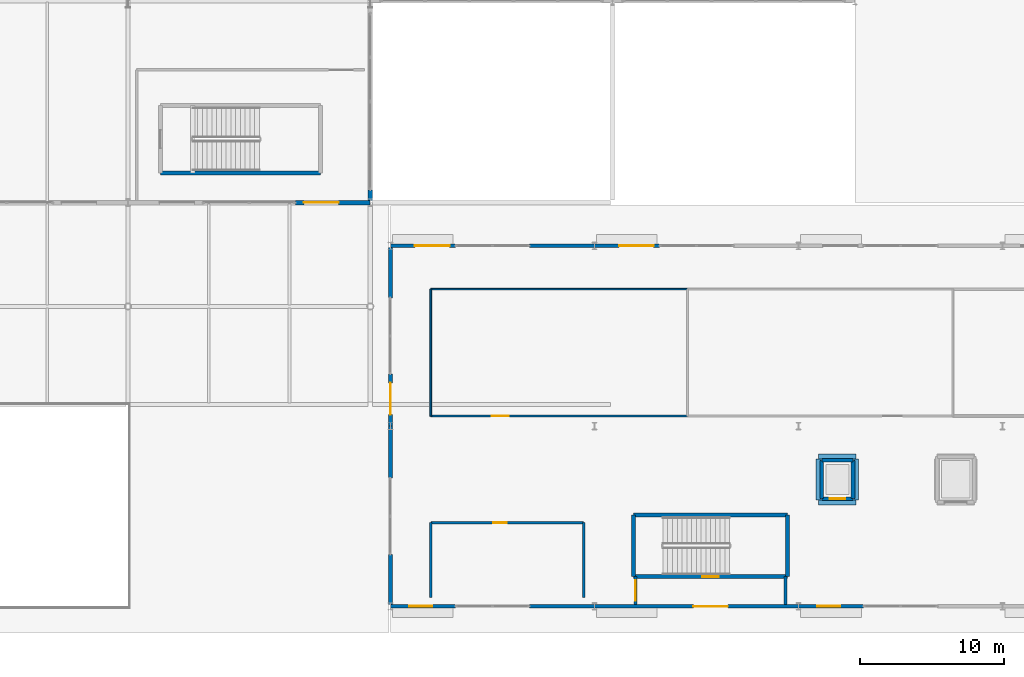
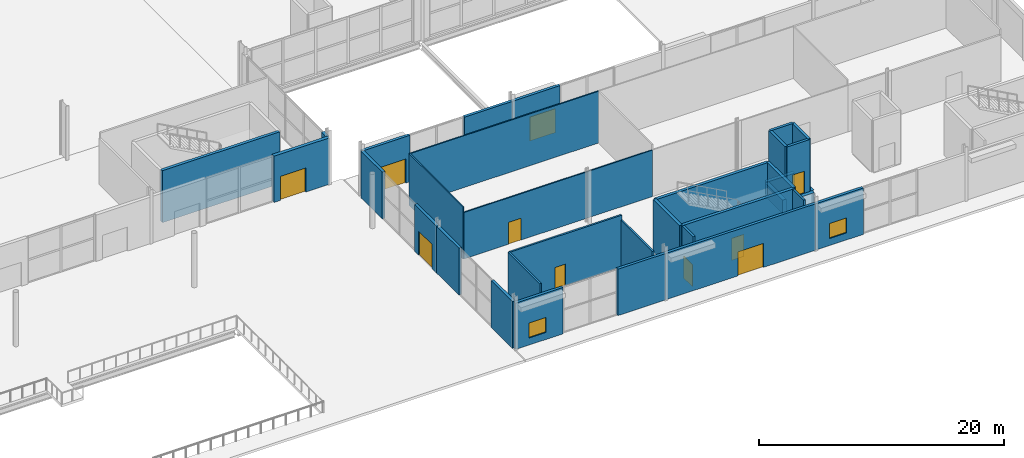
# One storey, part 67 of 87: 34 walls, 10 doors, 2 windows, 12 openings.
"""IFC4 building model written with IfcOpenShell, lengths in metres."""

import ifcopenshell
import ifcopenshell.guid

model = None  # the IFC model being written
_history = None  # IfcOwnerHistory: only IFC2X3 demands one
_inside = {}  # id of a spatial element -> (the spatial element, [elements in it])
_under = {}  # id of a project, library or spatial element -> (it, [spatial elements below it])
_declared = {}  # id of a project -> (the project, [libraries it declares])
_typed = {}  # id of a type object -> (the type object, [elements of that type])
_made_of = {}  # id of a material, layer set ... -> (it, [elements and type objects made of it])


def new_model(schema):
    """Start an empty IFC model of exactly this schema.

    Asked for "IFC4X3", IfcOpenShell would pick the latest addendum, in which some entities
    have other attributes; the version numbers below select the first issue.
    IFC2X3 requires an IfcOwnerHistory on every rooted entity: one is made here for all.
    """
    global model, _history
    if schema == "IFC4X3":
        model = ifcopenshell.file(schema_version=(4, 3, 0, 0))
    else:
        model = ifcopenshell.file(schema=schema)
    _inside.clear()
    _under.clear()
    _declared.clear()
    _typed.clear()
    _made_of.clear()
    _history = None
    if model.schema == "IFC2X3":
        org = make("IfcOrganization", Name="unknown")
        user = make(
            "IfcPersonAndOrganization",
            ThePerson=make("IfcPerson", FamilyName="unknown"),
            TheOrganization=org,
        )
        app = make(
            "IfcApplication",
            ApplicationDeveloper=org,
            Version="unknown",
            ApplicationFullName="unknown",
            ApplicationIdentifier="unknown",
        )
        _history = make(
            "IfcOwnerHistory",
            OwningUser=user,
            OwningApplication=app,
            ChangeAction="ADDED",
            CreationDate=0,
        )
    return model


def make(cls, **values):
    """One entity of the class cls with the attributes given. An attribute that is None is left unset."""
    return model.create_entity(
        cls, **{name: value for name, value in values.items() if value is not None}
    )


def rooted(cls, **values):
    """An entity with a GlobalId (a new one), such as an element, a storey or a relation."""
    return make(cls, GlobalId=ifcopenshell.guid.new(), OwnerHistory=_history, **values)


def si_unit(unit_type, name, prefix=None):
    """IfcSIUnit, for example si_unit("LENGTHUNIT", "METRE", prefix="MILLI")."""
    return make("IfcSIUnit", UnitType=unit_type, Prefix=prefix, Name=name)


def assignment(units):
    """IfcUnitAssignment: the units of a project."""
    return None if units is None else make("IfcUnitAssignment", Units=units)


def point(xyz):
    """IfcCartesianPoint."""
    return None if xyz is None else make("IfcCartesianPoint", Coordinates=xyz)


def direction(xyz):
    """IfcDirection."""
    return None if xyz is None else make("IfcDirection", DirectionRatios=xyz)


def frame(location, z_axis=None, x_axis=None):
    """IfcAxis2Placement3D, a coordinate frame: its origin and axes. An axis left out is left unset."""
    return make(
        "IfcAxis2Placement3D",
        Location=point(location),
        Axis=direction(z_axis),
        RefDirection=direction(x_axis),
    )


def frame_2d(location, x_axis=None):
    """IfcAxis2Placement2D, a coordinate frame in the plane: its origin and x axis."""
    return make(
        "IfcAxis2Placement2D", Location=point(location), RefDirection=direction(x_axis)
    )


def origin():
    """The frame at (0, 0, 0) with its axes left unset."""
    return frame((0.0, 0.0, 0.0))


def place(relative_to, where):
    """IfcLocalPlacement: puts the frame where relative to a parent placement (None: the world)."""
    return make(
        "IfcLocalPlacement", PlacementRelTo=relative_to, RelativePlacement=where
    )


def context(
    kind, dimensions, precision=None, world=None, true_north=None, identifier=None
):
    """IfcGeometricRepresentationContext, for example the 3D "Model" context."""
    return make(
        "IfcGeometricRepresentationContext",
        ContextIdentifier=identifier,
        ContextType=kind,
        CoordinateSpaceDimension=dimensions,
        Precision=precision,
        WorldCoordinateSystem=world,
        TrueNorth=true_north,
    )


def subcontext(parent, identifier, kind, view, scale=None):
    """IfcGeometricRepresentationSubContext, for example "Body" below "Model"."""
    return make(
        "IfcGeometricRepresentationSubContext",
        ContextIdentifier=identifier,
        ContextType=kind,
        ParentContext=parent,
        TargetScale=scale,
        TargetView=view,
    )


def project(units=None, contexts=None):
    """IfcProject with its units and contexts."""
    return rooted(
        "IfcProject",
        Name="project",
        RepresentationContexts=contexts,
        UnitsInContext=assignment(units),
    )


def spatial(cls, under=None, at=None, **own):
    """A site, building, storey or space (cls), placed at a placement, below another one or the project."""
    s = rooted(cls, ObjectPlacement=at, **own)
    if under is not None:
        _under.setdefault(under.id(), (under, []))[1].append(s)
    return s


def profile(cls, at=None, kind="AREA", **sizes):
    """A parametric profile (cls). Its sizes go by their IFC names, for example OverallWidth=200.0."""
    return make(cls, ProfileType=kind, Position=at, **sizes)


def rectangle(**sizes):
    """IfcRectangleProfileDef."""
    return profile("IfcRectangleProfileDef", **sizes)


def extrude(swept, where, along, depth):
    """IfcExtrudedAreaSolid: the profile swept, set in the frame where, extruded along a direction by depth."""
    return make(
        "IfcExtrudedAreaSolid",
        SweptArea=swept,
        Position=where,
        ExtrudedDirection=direction(along),
        Depth=depth,
    )


def shape(context_of_items, identifier, shape_type, items):
    """IfcShapeRepresentation: the items that make up one representation, for example the "Body"."""
    return make(
        "IfcShapeRepresentation",
        ContextOfItems=context_of_items,
        RepresentationIdentifier=identifier,
        RepresentationType=shape_type,
        Items=items,
    )


def material(Name=None, Category=None):
    """IfcMaterial."""
    return make("IfcMaterial", Name=Name, Category=Category)


def layer(
    of_material, thickness, ventilated=None, Name=None, Category=None, Priority=None
):
    """IfcMaterialLayer: one layer of a wall or slab, of a material (None: an air gap)."""
    return make(
        "IfcMaterialLayer",
        Material=of_material,
        LayerThickness=thickness,
        IsVentilated=ventilated,
        Name=Name,
        Category=Category,
        Priority=Priority,
    )


def layer_set(layers, Name=None):
    """IfcMaterialLayerSet."""
    return make("IfcMaterialLayerSet", MaterialLayers=layers, LayerSetName=Name)


def made_of(thing, what):
    """Note that an element or type object is made of a material, layer set ...; save() writes the relation."""
    if what is not None:
        _made_of.setdefault(what.id(), (what, []))[1].append(thing)
    return thing


def type_object(cls, material=None, **own):
    """A type object (cls), such as IfcWallType, which elements share."""
    return made_of(rooted(cls, **own), material)


def element(
    cls,
    number,
    at=None,
    inside=None,
    cuts=None,
    type_object=None,
    material=None,
    context=None,
    identifier="Body",
    shape_type=None,
    held_by="IfcProductDefinitionShape",
    body=None,
    shapes=None,
    **own,
):
    """One element of the class cls, such as IfcWall. Its Tag is "e" and its number.

    at: its placement. inside: the storey or other place that contains it. cuts: it is an
    opening in that element (IfcRelVoidsElement). A single representation is given by context,
    identifier, shape_type and body (its items); several are given by shapes. held_by: the class
    of the entity that holds the representations. save() writes the other relations.
    """
    e = rooted(cls, Tag="e%d" % number, ObjectPlacement=at, **own)
    if body is not None:
        shapes = [shape(context, identifier, shape_type, body)]
    if shapes is not None:
        e.Representation = make(held_by, Representations=shapes)
    if inside is not None:
        _inside.setdefault(inside.id(), (inside, []))[1].append(e)
    if cuts is not None:
        rooted(
            "IfcRelVoidsElement", RelatingBuildingElement=cuts, RelatedOpeningElement=e
        )
    if type_object is not None:
        _typed.setdefault(type_object.id(), (type_object, []))[1].append(e)
    return made_of(e, material)


def fill(opening, filler):
    """IfcRelFillsElement: the door or window that sits in an opening."""
    return rooted(
        "IfcRelFillsElement",
        RelatingOpeningElement=opening,
        RelatedBuildingElement=filler,
    )


def aggregate(whole, parts):
    """IfcRelAggregates: a whole, such as a stair, and the parts it consists of."""
    return rooted("IfcRelAggregates", RelatingObject=whole, RelatedObjects=parts)


def save(model, path):
    """Write the relations noted so far, then the file.

    IfcRelAggregates (storeys below a building ...), IfcRelContainedInSpatialStructure (elements
    in a storey), IfcRelDefinesByType, IfcRelAssociatesMaterial and IfcRelDeclares: one each for
    every whole, place, type object, material and project.
    """
    for whole, parts in _under.values():
        aggregate(whole, parts)
    for where, things in _inside.values():
        rooted(
            "IfcRelContainedInSpatialStructure",
            RelatedElements=things,
            RelatingStructure=where,
        )
    for kind, things in _typed.values():
        rooted("IfcRelDefinesByType", RelatedObjects=things, RelatingType=kind)
    for what, things in _made_of.values():
        rooted("IfcRelAssociatesMaterial", RelatedObjects=things, RelatingMaterial=what)
    for by, libraries in _declared.values():
        rooted("IfcRelDeclares", RelatingContext=by, RelatedDefinitions=libraries)
    model.write(path)


model = new_model("IFC4")

# Units and contexts
model_context = context("Model", 3, precision=1e-05, world=origin(), true_north=direction((0.0, 1.0)))
body_context = subcontext(model_context, "Body", "Model", "MODEL_VIEW")
ifc_project = project(units=[si_unit("LENGTHUNIT", "METRE"), si_unit("AREAUNIT", "SQUARE_METRE"), si_unit("VOLUMEUNIT", "CUBIC_METRE"), si_unit("PLANEANGLEUNIT", "RADIAN"), si_unit("MASSUNIT", "GRAM", prefix="KILO")], contexts=[model_context])

# Site, building, storey
site_placement = place(None, origin())
site = spatial("IfcSite", under=ifc_project, at=site_placement, CompositionType="ELEMENT")
building_placement = place(site_placement, origin())
building = spatial("IfcBuilding", under=site, at=building_placement, Name="Kimbaza Rail Terminus", CompositionType="ELEMENT")
storey_placement = place(building_placement, origin())
storey = spatial("IfcBuildingStorey", under=building, at=storey_placement, Name="L00", CompositionType="ELEMENT", Elevation=0.0)

# Wall, opening, door
ifc_material_1 = material(Name="Concrete blockwork C30/37", Category="masonry")
ifc_layer_1 = layer(ifc_material_1, 0.260009765625)
ifc_layer_set_1 = layer_set([ifc_layer_1], Name="Concrete blockwork C30/37")
wall_type_1 = type_object("IfcWallType", Name="ARC-WL-EXT260", PredefinedType="STANDARD", material=ifc_layer_set_1)
wall_1_placement = place(storey_placement, frame((157.39990234375, 38.0, 0.0), z_axis=(0.0, 0.0, 1.0), x_axis=(1.0, 0.0, 0.0)))
wall_1 = element("IfcWall", 1, at=wall_1_placement, inside=storey, type_object=wall_type_1, Name="Pavilion N Wall L00.0A", PredefinedType="STANDARD", context=body_context, shape_type="SweptSolid", body=[
    extrude(rectangle(XDim=4.5, YDim=0.260009765625, at=frame_2d((2.25, 0.0))), origin(), (0.0, 0.0, 1.0), 4.625),
])
opening_1_placement = place(wall_1_placement, frame((1.699951171875, 0.0, 0.0)))
opening_1 = element("IfcOpeningElement", 2, at=opening_1_placement, cuts=wall_1, Name="Opening D-EX1", PredefinedType="OPENING", context=body_context, shape_type="SweptSolid", body=[
    extrude(rectangle(XDim=2.39990234375, YDim=2.39990234375, at=frame_2d((1.199951171875, 1.199951171875))), frame((0.0, 0.139892578125, 0.0), z_axis=(0.0, -1.0, 0.0), x_axis=(1.0, 0.0, 0.0)), (0.0, 0.0, 1.0), 0.280029296875),
])
ifc_material_2 = material(Name="Anodised aluminium and toughened safety glass", Category="aluminium")
door_type_1 = type_object("IfcDoorType", Name="ARC-DR-EX240", OperationType="NOTDEFINED", PredefinedType="DOOR", material=ifc_material_2)
door_1_placement = place(opening_1_placement, origin())
door_1 = element("IfcDoor", 3, at=door_1_placement, inside=storey, type_object=door_type_1, Name="DR-EX-V4N1", OperationType="SINGLE_SWING_LEFT", OverallHeight=2.39990234375, OverallWidth=2.39990234375, PredefinedType="DOOR", context=body_context, shape_type="SweptSolid", body=[
    extrude(rectangle(XDim=2.39990234375, YDim=2.39990234375, at=frame_2d((1.199951171875, 1.199951171875))), frame((0.0, 0.02490234375, 0.0), z_axis=(0.0, -1.0, 0.0), x_axis=(1.0, 0.0, 0.0)), (0.0, 0.0, 1.0), 0.050048828125),
])
fill(opening_1, door_1)

# Wall
wall_2_placement = place(storey_placement, frame((167.050048828125, 38.0, 0.0), z_axis=(0.0, 0.0, 1.0), x_axis=(1.0, 0.0, 0.0)))
element("IfcWall", 4, at=wall_2_placement, inside=storey, type_object=wall_type_1, Name="Pavilion N Wall L00.0B", PredefinedType="STANDARD", context=body_context, shape_type="SweptSolid", body=[
    extrude(rectangle(XDim=4.5, YDim=0.260009765625, at=frame_2d((2.25, 0.0))), origin(), (0.0, 0.0, 1.0), 4.625),
])

# Wall, opening, door
wall_3_placement = place(storey_placement, frame((171.550048828125, 38.0, 0.0), z_axis=(0.0, 0.0, 1.0), x_axis=(1.0, 0.0, 0.0)))
wall_3 = element("IfcWall", 5, at=wall_3_placement, inside=storey, type_object=wall_type_1, Name="Pavilion N Wall L00.1A", PredefinedType="STANDARD", context=body_context, shape_type="SweptSolid", body=[
    extrude(rectangle(XDim=4.5, YDim=0.260009765625, at=frame_2d((2.25, 0.0))), origin(), (0.0, 0.0, 1.0), 4.625),
])
opening_2_placement = place(wall_3_placement, frame((1.699951171875, 0.0, 0.0)))
opening_2 = element("IfcOpeningElement", 6, at=opening_2_placement, cuts=wall_3, Name="Opening D-EX1", PredefinedType="OPENING", context=body_context, shape_type="SweptSolid", body=[
    extrude(rectangle(XDim=2.39990234375, YDim=2.39990234375, at=frame_2d((1.199951171875, 1.199951171875))), frame((0.0, 0.139892578125, 0.0), z_axis=(0.0, -1.0, 0.0), x_axis=(1.0, 0.0, 0.0)), (0.0, 0.0, 1.0), 0.280029296875),
])
door_2_placement = place(opening_2_placement, origin())
door_2 = element("IfcDoor", 7, at=door_2_placement, inside=storey, type_object=door_type_1, Name="DR-EX-V4N2", OperationType="SINGLE_SWING_RIGHT", OverallHeight=2.39990234375, OverallWidth=2.39990234375, PredefinedType="DOOR", context=body_context, shape_type="SweptSolid", body=[
    extrude(rectangle(XDim=2.39990234375, YDim=2.39990234375, at=frame_2d((1.199951171875, 1.199951171875))), frame((0.0, 0.02490234375, 0.0), z_axis=(0.0, -1.0, 0.0), x_axis=(1.0, 0.0, 0.0)), (0.0, 0.0, 1.0), 0.050048828125),
])
fill(opening_2, door_2)

# Wall, opening, window
wall_4_placement = place(storey_placement, frame((157.39990234375, 13.0, 0.0), z_axis=(0.0, 0.0, 1.0), x_axis=(1.0, 0.0, 0.0)))
wall_4 = element("IfcWall", 8, at=wall_4_placement, inside=storey, type_object=wall_type_1, Name="Pavilion S Wall L00.0A", PredefinedType="STANDARD", context=body_context, shape_type="SweptSolid", body=[
    extrude(rectangle(XDim=4.5, YDim=0.260009765625, at=frame_2d((2.25, 0.0))), origin(), (0.0, 0.0, 1.0), 4.625),
])
opening_3_placement = place(wall_4_placement, frame((1.300048828125, 0.0, 0.699951171875)))
opening_3 = element("IfcOpeningElement", 9, at=opening_3_placement, cuts=wall_4, Name="Opening W-18", PredefinedType="OPENING", context=body_context, shape_type="SweptSolid", body=[
    extrude(rectangle(XDim=1.60009765625, YDim=1.5, at=frame_2d((0.800048828125, 0.75))), frame((0.0, 0.139892578125, 0.0), z_axis=(0.0, -1.0, 0.0), x_axis=(1.0, 0.0, 0.0)), (0.0, 0.0, 1.0), 0.280029296875),
])
ifc_material_3 = material(Name="Thermally broken aluminium and solar low-E glass", Category="aluminium")
window_type = type_object("IfcWindowType", Name="ARC-WIN-W-18", PartitioningType="SINGLE_PANEL", PredefinedType="WINDOW", material=ifc_material_3)
window_1_placement = place(opening_3_placement, origin())
window_1 = element("IfcWindow", 10, at=window_1_placement, inside=storey, type_object=window_type, Name="Pavilion Window L00.1", OverallHeight=1.5, OverallWidth=1.60009765625, PartitioningType="SINGLE_PANEL", PredefinedType="WINDOW", context=body_context, shape_type="SweptSolid", body=[
    extrude(rectangle(XDim=1.60009765625, YDim=1.5, at=frame_2d((0.800048828125, 0.75))), frame((0.0, 0.030029296875, 0.0), z_axis=(0.0, -1.0, 0.0), x_axis=(1.0, 0.0, 0.0)), (0.0, 0.0, 1.0), 0.06005859375),
])
fill(opening_3, window_1)

# Wall
wall_5_placement = place(storey_placement, frame((167.050048828125, 13.0, 0.0), z_axis=(0.0, 0.0, 1.0), x_axis=(1.0, 0.0, 0.0)))
element("IfcWall", 11, at=wall_5_placement, inside=storey, type_object=wall_type_1, Name="Pavilion S Wall L00.0B", PredefinedType="STANDARD", context=body_context, shape_type="SweptSolid", body=[
    extrude(rectangle(XDim=4.5, YDim=0.260009765625, at=frame_2d((2.25, 0.0))), origin(), (0.0, 0.0, 1.0), 4.625),
])

# Wall, opening, door
wall_6_placement = place(storey_placement, frame((171.550048828125, 13.0, 0.0), z_axis=(0.0, 0.0, 1.0), x_axis=(1.0, 0.0, 0.0)))
wall_6 = element("IfcWall", 12, at=wall_6_placement, inside=storey, type_object=wall_type_1, Name="Pavilion South Stair Exit Wall 1", PredefinedType="STANDARD", context=body_context, shape_type="SweptSolid", body=[
    extrude(rectangle(XDim=14.14990234375, YDim=0.260009765625, at=frame_2d((7.074951171875, 0.0))), origin(), (0.0, 0.0, 1.0), 4.625),
])
opening_4_placement = place(wall_6_placement, frame((9.25, 0.0, 0.0), z_axis=(0.0, 0.0, 1.0), x_axis=(-1.0, 0.0, 0.0)))
opening_4 = element("IfcOpeningElement", 13, at=opening_4_placement, cuts=wall_6, Name="Opening D-EX1", PredefinedType="OPENING", context=body_context, shape_type="SweptSolid", body=[
    extrude(rectangle(XDim=2.39990234375, YDim=2.39990234375, at=frame_2d((1.199951171875, 1.199951171875))), frame((0.0, 0.139892578125, 0.0), z_axis=(0.0, -1.0, 0.0), x_axis=(1.0, 0.0, 0.0)), (0.0, 0.0, 1.0), 0.280029296875),
])
door_3_placement = place(opening_4_placement, origin())
door_3 = element("IfcDoor", 14, at=door_3_placement, inside=storey, type_object=door_type_1, Name="DR-EX-STP1", OperationType="SINGLE_SWING_RIGHT", OverallHeight=2.39990234375, OverallWidth=2.39990234375, PredefinedType="DOOR", context=body_context, shape_type="SweptSolid", body=[
    extrude(rectangle(XDim=2.39990234375, YDim=2.39990234375, at=frame_2d((1.199951171875, 1.199951171875))), frame((0.0, 0.02490234375, 0.0), z_axis=(0.0, -1.0, 0.0), x_axis=(1.0, 0.0, 0.0)), (0.0, 0.0, 1.0), 0.050048828125),
])
fill(opening_4, door_3)

# Wall, opening, window
wall_7_placement = place(storey_placement, frame((185.699951171875, 13.0, 0.0), z_axis=(0.0, 0.0, 1.0), x_axis=(1.0, 0.0, 0.0)))
wall_7 = element("IfcWall", 15, at=wall_7_placement, inside=storey, type_object=wall_type_1, Name="Pavilion S Wall L00.2A", PredefinedType="STANDARD", context=body_context, shape_type="SweptSolid", body=[
    extrude(rectangle(XDim=4.5, YDim=0.260009765625, at=frame_2d((2.25, 0.0))), origin(), (0.0, 0.0, 1.0), 4.625),
])
opening_5_placement = place(wall_7_placement, frame((1.300048828125, 0.0, 0.699951171875)))
opening_5 = element("IfcOpeningElement", 16, at=opening_5_placement, cuts=wall_7, Name="Opening W-18", PredefinedType="OPENING", context=body_context, shape_type="SweptSolid", body=[
    extrude(rectangle(XDim=1.60009765625, YDim=1.5, at=frame_2d((0.800048828125, 0.75))), frame((0.0, 0.139892578125, 0.0), z_axis=(0.0, -1.0, 0.0), x_axis=(1.0, 0.0, 0.0)), (0.0, 0.0, 1.0), 0.280029296875),
])
window_2_placement = place(opening_5_placement, origin())
window_2 = element("IfcWindow", 17, at=window_2_placement, inside=storey, type_object=window_type, Name="Pavilion Window L00.3", OverallHeight=1.5, OverallWidth=1.60009765625, PartitioningType="SINGLE_PANEL", PredefinedType="WINDOW", context=body_context, shape_type="SweptSolid", body=[
    extrude(rectangle(XDim=1.60009765625, YDim=1.5, at=frame_2d((0.800048828125, 0.75))), frame((0.0, 0.030029296875, 0.0), z_axis=(0.0, -1.0, 0.0), x_axis=(1.0, 0.0, 0.0)), (0.0, 0.0, 1.0), 0.06005859375),
])
fill(opening_5, window_2)

# Walls
wall_8_placement = place(storey_placement, frame((157.39990234375, 13.1298828125, 0.0), z_axis=(0.0, 0.0, 1.0), x_axis=(0.0, 1.0, 0.0)))
element("IfcWall", 18, at=wall_8_placement, inside=storey, type_object=wall_type_1, Name="Pavilion W Pier L00.0", PredefinedType="STANDARD", context=body_context, shape_type="SweptSolid", body=[
    extrude(rectangle(XDim=3.47021484375, YDim=0.260009765625, at=frame_2d((1.735107421875, 0.0))), origin(), (0.0, 0.0, 1.0), 4.675048828125),
])
wall_9_placement = place(storey_placement, frame((157.39990234375, 21.89990234375, 0.0), z_axis=(0.0, 0.0, 1.0), x_axis=(0.0, 1.0, 0.0)))
element("IfcWall", 19, at=wall_9_placement, inside=storey, type_object=wall_type_1, Name="Pavilion W Corner L00.0", PredefinedType="STANDARD", context=body_context, shape_type="SweptSolid", body=[
    extrude(rectangle(XDim=3.60009765625, YDim=0.260009765625, at=frame_2d((1.800048828125, 0.0))), origin(), (0.0, 0.0, 1.0), 4.675048828125),
])

# Wall, opening, door
wall_10_placement = place(storey_placement, frame((157.39990234375, 25.5, 0.0), z_axis=(0.0, 0.0, 1.0), x_axis=(0.0, 1.0, 0.0)))
wall_10 = element("IfcWall", 20, at=wall_10_placement, inside=storey, type_object=wall_type_1, Name="Pavilion W Pier L00.1", PredefinedType="STANDARD", context=body_context, shape_type="SweptSolid", body=[
    extrude(rectangle(XDim=3.60009765625, YDim=0.260009765625, at=frame_2d((1.800048828125, 0.0))), origin(), (0.0, 0.0, 1.0), 4.675048828125),
])
opening_6_placement = place(wall_10_placement, frame((0.800048828125, 0.0, 0.0)))
opening_6 = element("IfcOpeningElement", 21, at=opening_6_placement, cuts=wall_10, Name="Opening D-EX2", PredefinedType="OPENING", context=body_context, shape_type="SweptSolid", body=[
    extrude(rectangle(XDim=2.199951171875, YDim=2.39990234375, at=frame_2d((1.10009765625, 1.199951171875))), frame((0.0, 0.139892578125, 0.0), z_axis=(0.0, -1.0, 0.0), x_axis=(1.0, 0.0, 0.0)), (0.0, 0.0, 1.0), 0.280029296875),
])
ifc_material_4 = material(Name="Anodised aluminium and toughened safety glass", Category="aluminium")
door_type_2 = type_object("IfcDoorType", Name="ARC-DR-EX220", OperationType="NOTDEFINED", PredefinedType="DOOR", material=ifc_material_4)
door_4_placement = place(opening_6_placement, origin())
door_4 = element("IfcDoor", 22, at=door_4_placement, inside=storey, type_object=door_type_2, Name="DR-EX-V4W2", OperationType="SINGLE_SWING_RIGHT", OverallHeight=2.39990234375, OverallWidth=2.199951171875, PredefinedType="DOOR", context=body_context, shape_type="SweptSolid", body=[
    extrude(rectangle(XDim=2.199951171875, YDim=2.39990234375, at=frame_2d((1.10009765625, 1.199951171875))), frame((0.0, 0.02490234375, 0.0), z_axis=(0.0, -1.0, 0.0), x_axis=(1.0, 0.0, 0.0)), (0.0, 0.0, 1.0), 0.050048828125),
])
fill(opening_6, door_4)

# Walls
wall_11_placement = place(storey_placement, frame((157.39990234375, 34.39990234375, 0.0), z_axis=(0.0, 0.0, 1.0), x_axis=(0.0, 1.0, 0.0)))
element("IfcWall", 23, at=wall_11_placement, inside=storey, type_object=wall_type_1, Name="Pavilion W Corner L00.1", PredefinedType="STANDARD", context=body_context, shape_type="SweptSolid", body=[
    extrude(rectangle(XDim=3.47021484375, YDim=0.260009765625, at=frame_2d((1.735107421875, 0.0))), origin(), (0.0, 0.0, 1.0), 4.675048828125),
])
ifc_material_5 = material(Name="Precast concrete C40/50", Category="concrete")
ifc_layer_2 = layer(ifc_material_5, 0.280029296875)
ifc_layer_set_2 = layer_set([ifc_layer_2], Name="Precast concrete C40/50")
wall_type_2 = type_object("IfcWallType", Name="ARC-WL-EXT280", PredefinedType="STANDARD", material=ifc_layer_set_2)
wall_12_placement = place(storey_placement, frame((156.0, 41.159912109375, 0.0), z_axis=(0.0, 0.0, 1.0), x_axis=(0.0, 1.0, 0.0)))
element("IfcWall", 24, at=wall_12_placement, inside=storey, type_object=wall_type_2, Name="Concourse E Return Curtain Wall L00 Corner Pier A", PredefinedType="STANDARD", context=body_context, shape_type="SweptSolid", body=[
    extrude(rectangle(XDim=0.719970703125, YDim=0.280029296875, at=frame_2d((0.35986328125, 0.0))), origin(), (0.0, 0.0, 1.0), 4.625),
])

# Wall, opening, door
ifc_material_6 = material(Name="Precast concrete C40/50", Category="concrete")
ifc_layer_3 = layer(ifc_material_6, 0.320068359375)
ifc_layer_set_3 = layer_set([ifc_layer_3], Name="Precast concrete C40/50")
wall_type_3 = type_object("IfcWallType", Name="ARC-WL-EXT320", PredefinedType="STANDARD", material=ifc_layer_set_3)
wall_13_placement = place(storey_placement, frame((150.800048828125, 41.0, 0.0), z_axis=(0.0, 0.0, 1.0), x_axis=(1.0, 0.0, 0.0)))
wall_13 = element("IfcWall", 25, at=wall_13_placement, inside=storey, type_object=wall_type_3, Name="South Concourse Entrance Portal 6B", PredefinedType="STANDARD", context=body_context, shape_type="SweptSolid", body=[
    extrude(rectangle(XDim=5.199951171875, YDim=0.320068359375, at=frame_2d((2.60009765625, 0.0))), origin(), (0.0, 0.0, 1.0), 4.625),
])
opening_7_placement = place(wall_13_placement, frame((3.0, 0.0, 0.0), z_axis=(0.0, 0.0, 1.0), x_axis=(-1.0, 0.0, 0.0)))
opening_7 = element("IfcOpeningElement", 26, at=opening_7_placement, cuts=wall_13, Name="Opening D-EX1", PredefinedType="OPENING", context=body_context, shape_type="SweptSolid", body=[
    extrude(rectangle(XDim=2.39990234375, YDim=2.39990234375, at=frame_2d((1.199951171875, 1.199951171875))), frame((0.0, 0.169921875, 0.0), z_axis=(0.0, -1.0, 0.0), x_axis=(1.0, 0.0, 0.0)), (0.0, 0.0, 1.0), 0.340087890625),
])
door_5_placement = place(opening_7_placement, origin())
door_5 = element("IfcDoor", 27, at=door_5_placement, inside=storey, type_object=door_type_1, Name="DR-EX-S12", OperationType="SINGLE_SWING_LEFT", OverallHeight=2.39990234375, OverallWidth=2.39990234375, PredefinedType="DOOR", context=body_context, shape_type="SweptSolid", body=[
    extrude(rectangle(XDim=2.39990234375, YDim=2.39990234375, at=frame_2d((1.199951171875, 1.199951171875))), frame((0.0, 0.02490234375, 0.0), z_axis=(0.0, -1.0, 0.0), x_axis=(1.0, 0.0, 0.0)), (0.0, 0.0, 1.0), 0.050048828125),
])
fill(opening_7, door_5)

# Wall
ifc_material_7 = material(Name="Concrete blockwork C30/37", Category="masonry")
ifc_layer_4 = layer(ifc_material_7, 0.199951171875)
ifc_layer_set_4 = layer_set([ifc_layer_4], Name="Concrete blockwork C30/37")
wall_type_4 = type_object("IfcWallType", Name="ARC-WL-FIRE200", PredefinedType="PARTITIONING", material=ifc_layer_set_4)
wall_14_placement = place(storey_placement, frame((184.800048828125, 13.139892578125, 0.0), z_axis=(0.0, 0.0, 1.0), x_axis=(0.0, 1.0, 0.0)))
element("IfcWall", 28, at=wall_14_placement, inside=storey, type_object=wall_type_4, Name="Protected Exit Vestibule ST-P1 Partition (east)", PredefinedType="PARTITIONING", context=body_context, shape_type="SweptSolid", body=[
    extrude(rectangle(XDim=1.920166015625, YDim=0.199951171875, at=frame_2d((0.9599609375, 0.0))), origin(), (0.0, 0.0, 1.0), 5.159912109375),
])

# Wall, opening, door
wall_15_placement = place(storey_placement, frame((174.39990234375, 15.06005859375, 0.0), z_axis=(0.0, 0.0, 1.0), x_axis=(0.0, -1.0, 0.0)))
wall_15 = element("IfcWall", 29, at=wall_15_placement, inside=storey, type_object=wall_type_4, Name="Protected Exit Vestibule ST-P1 Partition (west)", PredefinedType="PARTITIONING", context=body_context, shape_type="SweptSolid", body=[
    extrude(rectangle(XDim=1.920166015625, YDim=0.199951171875, at=frame_2d((0.9599609375, 0.0))), origin(), (0.0, 0.0, 1.0), 5.159912109375),
])
opening_8_placement = place(wall_15_placement, frame((0.260009765625, 0.0, 0.0)))
opening_8 = element("IfcOpeningElement", 30, at=opening_8_placement, cuts=wall_15, Name="Opening FD-01", PredefinedType="OPENING", context=body_context, shape_type="SweptSolid", body=[
    extrude(rectangle(XDim=1.39990234375, YDim=2.199951171875, at=frame_2d((0.699951171875, 1.10009765625))), frame((0.0, 0.10986328125, 0.0), z_axis=(0.0, -1.0, 0.0), x_axis=(1.0, 0.0, 0.0)), (0.0, 0.0, 1.0), 0.219970703125),
])
ifc_material_8 = material(Name="Galvanised painted steel fire escape door", Category="steel")
door_type_3 = type_object("IfcDoorType", Name="ARC-DR-FD140", OperationType="NOTDEFINED", PredefinedType="DOOR", material=ifc_material_8)
door_6_placement = place(opening_8_placement, origin())
door_6 = element("IfcDoor", 31, at=door_6_placement, inside=storey, type_object=door_type_3, Name="IDR-SPC-EXV-STP1", OperationType="SINGLE_SWING_LEFT", OverallHeight=2.199951171875, OverallWidth=1.39990234375, PredefinedType="DOOR", context=body_context, shape_type="SweptSolid", body=[
    extrude(rectangle(XDim=1.39990234375, YDim=2.199951171875, at=frame_2d((0.699951171875, 1.10009765625))), frame((0.0, 0.02490234375, 0.0), z_axis=(0.0, -1.0, 0.0), x_axis=(1.0, 0.0, 0.0)), (0.0, 0.0, 1.0), 0.050048828125),
])
fill(opening_8, door_6)

ifc_material_9 = material(Name="Moisture-resistant stud wall", Category="gypsum")
ifc_layer_5 = layer(ifc_material_9, 0.1201171875)
ifc_layer_set_5 = layer_set([ifc_layer_5], Name="Moisture-resistant stud wall")
wall_type_5 = type_object("IfcWallType", Name="ARC-WL-PART120", PredefinedType="PARTITIONING", material=ifc_layer_set_5)
wall_16_placement = place(storey_placement, frame((160.199951171875, 26.199951171875, 0.0), z_axis=(0.0, 0.0, 1.0), x_axis=(1.0, 0.0, 0.0)))
wall_16 = element("IfcWall", 32, at=wall_16_placement, inside=storey, type_object=wall_type_5, Name="Commuter Supermarket and Bakery Partition (south)", PredefinedType="PARTITIONING", context=body_context, shape_type="SweptSolid", body=[
    extrude(rectangle(XDim=17.800048828125, YDim=0.1201171875, at=frame_2d((8.89990234375, 0.0))), origin(), (0.0, 0.0, 1.0), 4.625),
])
opening_9_placement = place(wall_16_placement, frame((4.2099609375, 0.0, 0.0)))
opening_9 = element("IfcOpeningElement", 33, at=opening_9_placement, cuts=wall_16, Name="Opening ID-11", PredefinedType="OPENING", context=body_context, shape_type="SweptSolid", body=[
    extrude(rectangle(XDim=1.179931640625, YDim=2.179931640625, at=frame_2d((0.58984375, 1.08984375))), frame((0.0, 0.070068359375, 0.0), z_axis=(0.0, -1.0, 0.0), x_axis=(1.0, 0.0, 0.0)), (0.0, 0.0, 1.0), 0.14013671875),
])
ifc_material_10 = material(Name="Broadcast studio acoustic door", Category="wood")
door_type_4 = type_object("IfcDoorType", Name="ARC-DR-ID118", OperationType="NOTDEFINED", PredefinedType="DOOR", material=ifc_material_10)
door_7_placement = place(opening_9_placement, origin())
door_7 = element("IfcDoor", 34, at=door_7_placement, inside=storey, type_object=door_type_4, Name="IDR-SPC-V4-L00-SHP1", OperationType="SINGLE_SWING_LEFT", OverallHeight=2.179931640625, OverallWidth=1.179931640625, PredefinedType="DOOR", context=body_context, shape_type="SweptSolid", body=[
    extrude(rectangle(XDim=1.179931640625, YDim=2.179931640625, at=frame_2d((0.58984375, 1.08984375))), frame((0.0, 0.02490234375, 0.0), z_axis=(0.0, -1.0, 0.0), x_axis=(1.0, 0.0, 0.0)), (0.0, 0.0, 1.0), 0.050048828125),
])
fill(opening_9, door_7)

# Walls
wall_17_placement = place(storey_placement, frame((178.0, 35.0, 0.0), z_axis=(0.0, 0.0, 1.0), x_axis=(-1.0, 0.0, 0.0)))
element("IfcWall", 35, at=wall_17_placement, inside=storey, type_object=wall_type_5, Name="Commuter Supermarket and Bakery Partition (north)", PredefinedType="PARTITIONING", context=body_context, shape_type="SweptSolid", body=[
    extrude(rectangle(XDim=17.800048828125, YDim=0.1201171875, at=frame_2d((8.89990234375, 0.0))), origin(), (0.0, 0.0, 1.0), 5.159912109375),
])
wall_18_placement = place(storey_placement, frame((160.199951171875, 35.0, 0.0), z_axis=(0.0, 0.0, 1.0), x_axis=(0.0, -1.0, 0.0)))
element("IfcWall", 36, at=wall_18_placement, inside=storey, type_object=wall_type_5, Name="Commuter Supermarket and Bakery Partition (west)", PredefinedType="PARTITIONING", context=body_context, shape_type="SweptSolid", body=[
    extrude(rectangle(XDim=8.800048828125, YDim=0.1201171875, at=frame_2d((4.39990234375, 0.0))), origin(), (0.0, 0.0, 1.0), 5.159912109375),
])
ifc_material_11 = material(Name="Moisture-resistant blockwork C25/30", Category="masonry")
ifc_layer_6 = layer(ifc_material_11, 0.169921875)
ifc_layer_set_6 = layer_set([ifc_layer_6], Name="Moisture-resistant blockwork C25/30")
wall_type_6 = type_object("IfcWallType", Name="ARC-WL-PLMB170", PredefinedType="PLUMBINGWALL", material=ifc_layer_set_6)
wall_19_placement = place(storey_placement, frame((170.800048828125, 13.60009765625, 0.0), z_axis=(0.0, 0.0, 1.0), x_axis=(0.0, 1.0, 0.0)))
element("IfcWall", 37, at=wall_19_placement, inside=storey, type_object=wall_type_6, Name="Pavilion Ground Accessible WC Partition (east)", PredefinedType="PLUMBINGWALL", context=body_context, shape_type="SweptSolid", body=[
    extrude(rectangle(XDim=5.199951171875, YDim=0.169921875, at=frame_2d((2.60009765625, 0.0))), origin(), (0.0, 0.0, 1.0), 4.675048828125),
])

# Wall, opening, door
wall_20_placement = place(storey_placement, frame((170.800048828125, 18.800048828125, 0.0), z_axis=(0.0, 0.0, 1.0), x_axis=(-1.0, 0.0, 0.0)))
wall_20 = element("IfcWall", 38, at=wall_20_placement, inside=storey, type_object=wall_type_6, Name="Pavilion Ground Accessible WC Partition (north)", PredefinedType="PLUMBINGWALL", context=body_context, shape_type="SweptSolid", body=[
    extrude(rectangle(XDim=10.60009765625, YDim=0.169921875, at=frame_2d((5.300048828125, 0.0))), origin(), (0.0, 0.0, 1.0), 5.159912109375),
])
opening_10_placement = place(wall_20_placement, frame((5.324951171875, 0.0, 0.0)))
opening_10 = element("IfcOpeningElement", 39, at=opening_10_placement, cuts=wall_20, Name="Opening ID-06", PredefinedType="OPENING", context=body_context, shape_type="SweptSolid", body=[
    extrude(rectangle(XDim=0.949951171875, YDim=2.14990234375, at=frame_2d((0.47509765625, 1.074951171875))), frame((0.0, 0.094970703125, 0.0), z_axis=(0.0, -1.0, 0.0), x_axis=(1.0, 0.0, 0.0)), (0.0, 0.0, 1.0), 0.18994140625),
])
ifc_material_12 = material(Name="Accessible washroom outward-capable door", Category="wood")
door_type_5 = type_object("IfcDoorType", Name="ARC-DR-ID095", OperationType="NOTDEFINED", PredefinedType="DOOR", material=ifc_material_12)
door_8_placement = place(opening_10_placement, origin())
door_8 = element("IfcDoor", 40, at=door_8_placement, inside=storey, type_object=door_type_5, Name="IDR-SPC-V4-L00-WC", OperationType="SINGLE_SWING_RIGHT", OverallHeight=2.14990234375, OverallWidth=0.949951171875, PredefinedType="DOOR", context=body_context, shape_type="SweptSolid", body=[
    extrude(rectangle(XDim=0.949951171875, YDim=2.14990234375, at=frame_2d((0.47509765625, 1.074951171875))), frame((0.0, 0.02490234375, 0.0), z_axis=(0.0, -1.0, 0.0), x_axis=(1.0, 0.0, 0.0)), (0.0, 0.0, 1.0), 0.050048828125),
])
fill(opening_10, door_8)

# Wall
wall_21_placement = place(storey_placement, frame((160.199951171875, 18.800048828125, 0.0), z_axis=(0.0, 0.0, 1.0), x_axis=(0.0, -1.0, 0.0)))
element("IfcWall", 41, at=wall_21_placement, inside=storey, type_object=wall_type_6, Name="Pavilion Ground Accessible WC Partition (west)", PredefinedType="PLUMBINGWALL", context=body_context, shape_type="SweptSolid", body=[
    extrude(rectangle(XDim=5.199951171875, YDim=0.169921875, at=frame_2d((2.60009765625, 0.0))), origin(), (0.0, 0.0, 1.0), 5.159912109375),
])

# Wall, opening, door
ifc_material_13 = material(Name="Concrete C40/50", Category="concrete")
ifc_layer_7 = layer(ifc_material_13, 0.25)
ifc_layer_set_7 = layer_set([ifc_layer_7], Name="Concrete C40/50")
wall_type_7 = type_object("IfcWallType", Name="STR-WL-CORE250", PredefinedType="SHEAR", material=ifc_layer_set_7)
wall_22_placement = place(storey_placement, frame((187.320068359375, 20.469970703125, 0.0), z_axis=(0.0, 0.0, 1.0), x_axis=(1.0, 0.0, 0.0)))
wall_22 = element("IfcWall", 42, at=wall_22_placement, inside=storey, type_object=wall_type_7, Name="Lift Shaft Wall LP-07 L00-1", PredefinedType="SHEAR", context=body_context, shape_type="SweptSolid", body=[
    extrude(rectangle(XDim=2.159912109375, YDim=0.25, at=frame_2d((1.080078125, 0.0))), origin(), (0.0, 0.0, 1.0), 5.179931640625),
])
opening_11_placement = place(wall_22_placement, frame((0.530029296875, 0.0, 0.0)))
opening_11 = element("IfcOpeningElement", 43, at=opening_11_placement, cuts=wall_22, Name="Opening LD-01", PredefinedType="OPENING", context=body_context, shape_type="SweptSolid", body=[
    extrude(rectangle(XDim=1.10009765625, YDim=2.199951171875, at=frame_2d((0.550048828125, 1.10009765625))), frame((0.0, 0.135009765625, 0.0), z_axis=(0.0, -1.0, 0.0), x_axis=(1.0, 0.0, 0.0)), (0.0, 0.0, 1.0), 0.27001953125),
])
ifc_material_14 = material(Name="Brushed stainless steel sliding landing door", Category="steel")
door_type_6 = type_object("IfcDoorType", Name="ARC-DR-LD110", OperationType="NOTDEFINED", PredefinedType="DOOR", material=ifc_material_14)
door_9_placement = place(opening_11_placement, origin())
door_9 = element("IfcDoor", 44, at=door_9_placement, inside=storey, type_object=door_type_6, Name="LDR-LP-07-L00", OperationType="SLIDING_TO_LEFT", OverallHeight=2.199951171875, OverallWidth=1.10009765625, PredefinedType="DOOR", context=body_context, shape_type="SweptSolid", body=[
    extrude(rectangle(XDim=1.10009765625, YDim=2.199951171875, at=frame_2d((0.550048828125, 1.10009765625))), frame((0.0, 0.02490234375, 0.0), z_axis=(0.0, -1.0, 0.0), x_axis=(1.0, 0.0, 0.0)), (0.0, 0.0, 1.0), 0.050048828125),
])
fill(opening_11, door_9)

# Walls
wall_23_placement = place(storey_placement, frame((189.47998046875, 20.469970703125, 0.0), z_axis=(0.0, 0.0, 1.0), x_axis=(0.0, 1.0, 0.0)))
element("IfcWall", 45, at=wall_23_placement, inside=storey, type_object=wall_type_7, Name="Lift Shaft Wall LP-07 L00-2", PredefinedType="SHEAR", context=body_context, shape_type="SweptSolid", body=[
    extrude(rectangle(XDim=2.659912109375, YDim=0.25, at=frame_2d((1.330078125, 0.0))), origin(), (0.0, 0.0, 1.0), 5.179931640625),
])
wall_24_placement = place(storey_placement, frame((189.47998046875, 23.1298828125, 0.0), z_axis=(0.0, 0.0, 1.0), x_axis=(-1.0, 0.0, 0.0)))
element("IfcWall", 46, at=wall_24_placement, inside=storey, type_object=wall_type_7, Name="Lift Shaft Wall LP-07 L00-3", PredefinedType="SHEAR", context=body_context, shape_type="SweptSolid", body=[
    extrude(rectangle(XDim=2.159912109375, YDim=0.25, at=frame_2d((1.080078125, 0.0))), origin(), (0.0, 0.0, 1.0), 5.179931640625),
])
wall_25_placement = place(storey_placement, frame((187.320068359375, 23.1298828125, 0.0), z_axis=(0.0, 0.0, 1.0), x_axis=(0.0, -1.0, 0.0)))
element("IfcWall", 47, at=wall_25_placement, inside=storey, type_object=wall_type_7, Name="Lift Shaft Wall LP-07 L00-4", PredefinedType="SHEAR", context=body_context, shape_type="SweptSolid", body=[
    extrude(rectangle(XDim=2.659912109375, YDim=0.25, at=frame_2d((1.330078125, 0.0))), origin(), (0.0, 0.0, 1.0), 5.179931640625),
])
ifc_material_15 = material(Name="Concrete C40/50", Category="concrete")
ifc_layer_8 = layer(ifc_material_15, 0.280029296875)
ifc_layer_set_8 = layer_set([ifc_layer_8], Name="Concrete C40/50")
wall_type_8 = type_object("IfcWallType", Name="STR-WL-CORE280", PredefinedType="SHEAR", material=ifc_layer_set_8)
wall_26_placement = place(storey_placement, frame((141.4599609375, 43.06005859375, 0.0), z_axis=(0.0, 0.0, 1.0), x_axis=(1.0, 0.0, 0.0)))
element("IfcWall", 48, at=wall_26_placement, inside=storey, type_object=wall_type_8, Name="South Metro Concourse East Stair Shaft Wall L00-1", PredefinedType="SHEAR", context=body_context, shape_type="SweptSolid", body=[
    extrude(rectangle(XDim=11.080078125, YDim=0.280029296875, at=frame_2d((5.5400390625, 0.0))), origin(), (0.0, 0.0, 1.0), 5.179931640625),
])

# Wall, opening, door
wall_27_placement = place(storey_placement, frame((174.260009765625, 15.06005859375, -0.449951171875), z_axis=(0.0, 0.0, 1.0), x_axis=(1.0, 0.0, 0.0)))
wall_27 = element("IfcWall", 49, at=wall_27_placement, inside=storey, type_object=wall_type_8, Name="Retail Pavilion West Stair Shaft Wall L00-1", PredefinedType="SHEAR", context=body_context, shape_type="SweptSolid", body=[
    extrude(rectangle(XDim=10.679931640625, YDim=0.280029296875, at=frame_2d((5.33984375, 0.0))), origin(), (0.0, 0.0, 1.0), 5.6298828125),
])
opening_12_placement = place(wall_27_placement, frame((4.764892578125, 0.0, 0.449951171875)))
opening_12 = element("IfcOpeningElement", 50, at=opening_12_placement, cuts=wall_27, Name="Opening FD-03", PredefinedType="OPENING", context=body_context, shape_type="SweptSolid", body=[
    extrude(rectangle(XDim=1.14990234375, YDim=2.199951171875, at=frame_2d((0.574951171875, 1.10009765625))), frame((0.0, 0.14990234375, 0.0), z_axis=(0.0, -1.0, 0.0), x_axis=(1.0, 0.0, 0.0)), (0.0, 0.0, 1.0), 0.300048828125),
])
ifc_material_16 = material(Name="Firefighting lobby self-closing steel door", Category="steel")
door_type_7 = type_object("IfcDoorType", Name="ARC-DR-FD115", OperationType="NOTDEFINED", PredefinedType="DOOR", material=ifc_material_16)
door_10_placement = place(opening_12_placement, origin())
door_10 = element("IfcDoor", 51, at=door_10_placement, inside=storey, type_object=door_type_7, Name="SDR-ST-P1-L00", OperationType="SINGLE_SWING_LEFT", OverallHeight=2.199951171875, OverallWidth=1.14990234375, PredefinedType="DOOR", context=body_context, shape_type="SweptSolid", body=[
    extrude(rectangle(XDim=1.14990234375, YDim=2.199951171875, at=frame_2d((0.574951171875, 1.10009765625))), frame((0.0, 0.02490234375, 0.0), z_axis=(0.0, -1.0, 0.0), x_axis=(1.0, 0.0, 0.0)), (0.0, 0.0, 1.0), 0.050048828125),
])
fill(opening_12, door_10)

# Walls
wall_28_placement = place(storey_placement, frame((184.93994140625, 15.06005859375, -0.449951171875), z_axis=(0.0, 0.0, 1.0), x_axis=(0.0, 1.0, 0.0)))
element("IfcWall", 52, at=wall_28_placement, inside=storey, type_object=wall_type_8, Name="Retail Pavilion West Stair Shaft Wall L00-2", PredefinedType="SHEAR", context=body_context, shape_type="SweptSolid", body=[
    extrude(rectangle(XDim=4.280029296875, YDim=0.280029296875, at=frame_2d((2.14013671875, 0.0))), origin(), (0.0, 0.0, 1.0), 5.6298828125),
])
wall_29_placement = place(storey_placement, frame((184.93994140625, 19.340087890625, -0.449951171875), z_axis=(0.0, 0.0, 1.0), x_axis=(-1.0, 0.0, 0.0)))
element("IfcWall", 53, at=wall_29_placement, inside=storey, type_object=wall_type_8, Name="Retail Pavilion West Stair Shaft Wall L00-3", PredefinedType="SHEAR", context=body_context, shape_type="SweptSolid", body=[
    extrude(rectangle(XDim=10.679931640625, YDim=0.280029296875, at=frame_2d((5.33984375, 0.0))), origin(), (0.0, 0.0, 1.0), 5.6298828125),
])
wall_30_placement = place(storey_placement, frame((174.260009765625, 19.340087890625, -0.449951171875), z_axis=(0.0, 0.0, 1.0), x_axis=(0.0, -1.0, 0.0)))
element("IfcWall", 54, at=wall_30_placement, inside=storey, type_object=wall_type_8, Name="Retail Pavilion West Stair Shaft Wall L00-4", PredefinedType="SHEAR", context=body_context, shape_type="SweptSolid", body=[
    extrude(rectangle(XDim=4.280029296875, YDim=0.280029296875, at=frame_2d((2.14013671875, 0.0))), origin(), (0.0, 0.0, 1.0), 5.6298828125),
])
ifc_material_17 = material(Name="Concrete C40/50", Category="concrete")
ifc_layer_9 = layer(ifc_material_17, 0.35009765625)
ifc_layer_set_9 = layer_set([ifc_layer_9], Name="Concrete C40/50")
wall_type_9 = type_object("IfcWallType", Name="STR-WL-RET350", PredefinedType="SOLIDWALL", material=ifc_layer_set_9)
wall_31_placement = place(storey_placement, frame((187.10009765625, 20.199951171875, -1.35009765625), z_axis=(0.0, 0.0, 1.0), x_axis=(1.0, 0.0, 0.0)))
element("IfcWall", 55, at=wall_31_placement, inside=storey, type_object=wall_type_9, Name="Lift Pit Wall LP-07-1", PredefinedType="SOLIDWALL", context=body_context, shape_type="SweptSolid", body=[
    extrude(rectangle(XDim=2.599853515625, YDim=0.35009765625, at=frame_2d((1.2998046875, 0.0))), origin(), (0.0, 0.0, 1.0), 1.35009765625),
])
wall_32_placement = place(storey_placement, frame((189.699951171875, 20.375, -1.35009765625), z_axis=(0.0, 0.0, 1.0), x_axis=(0.0, 1.0, 0.0)))
element("IfcWall", 56, at=wall_32_placement, inside=storey, type_object=wall_type_9, Name="Lift Pit Wall LP-07-2", PredefinedType="SOLIDWALL", context=body_context, shape_type="SweptSolid", body=[
    extrude(rectangle(XDim=2.85009765625, YDim=0.35009765625, at=frame_2d((1.425048828125, 0.0))), origin(), (0.0, 0.0, 1.0), 1.35009765625),
])
wall_33_placement = place(storey_placement, frame((189.699951171875, 23.39990234375, -1.35009765625), z_axis=(0.0, 0.0, 1.0), x_axis=(-1.0, 0.0, 0.0)))
element("IfcWall", 57, at=wall_33_placement, inside=storey, type_object=wall_type_9, Name="Lift Pit Wall LP-07-3", PredefinedType="SOLIDWALL", context=body_context, shape_type="SweptSolid", body=[
    extrude(rectangle(XDim=2.599853515625, YDim=0.35009765625, at=frame_2d((1.2998046875, 0.0))), origin(), (0.0, 0.0, 1.0), 1.35009765625),
])
wall_34_placement = place(storey_placement, frame((187.10009765625, 23.22509765625, -1.35009765625), z_axis=(0.0, 0.0, 1.0), x_axis=(0.0, -1.0, 0.0)))
element("IfcWall", 58, at=wall_34_placement, inside=storey, type_object=wall_type_9, Name="Lift Pit Wall LP-07-4", PredefinedType="SOLIDWALL", context=body_context, shape_type="SweptSolid", body=[
    extrude(rectangle(XDim=2.85009765625, YDim=0.35009765625, at=frame_2d((1.425048828125, 0.0))), origin(), (0.0, 0.0, 1.0), 1.35009765625),
])

save(model, "model.ifc")
